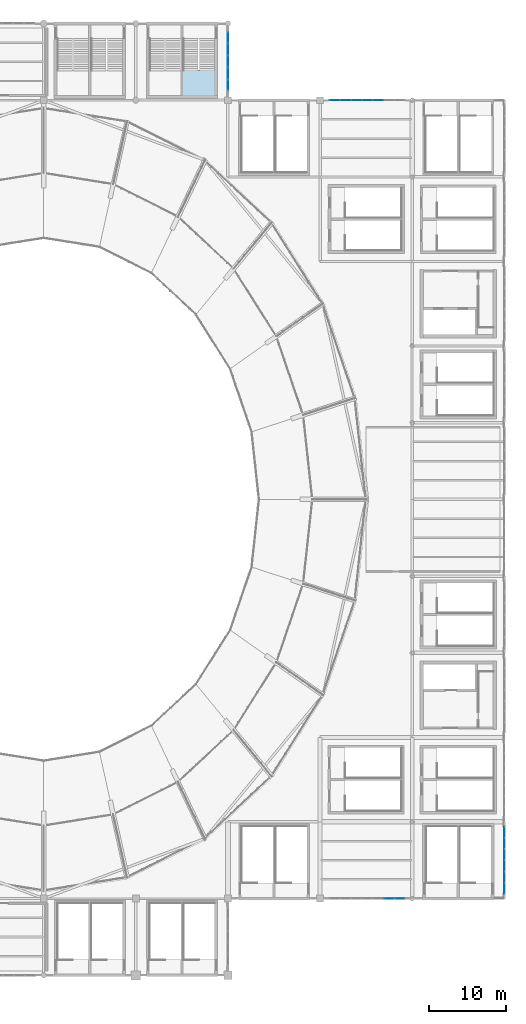
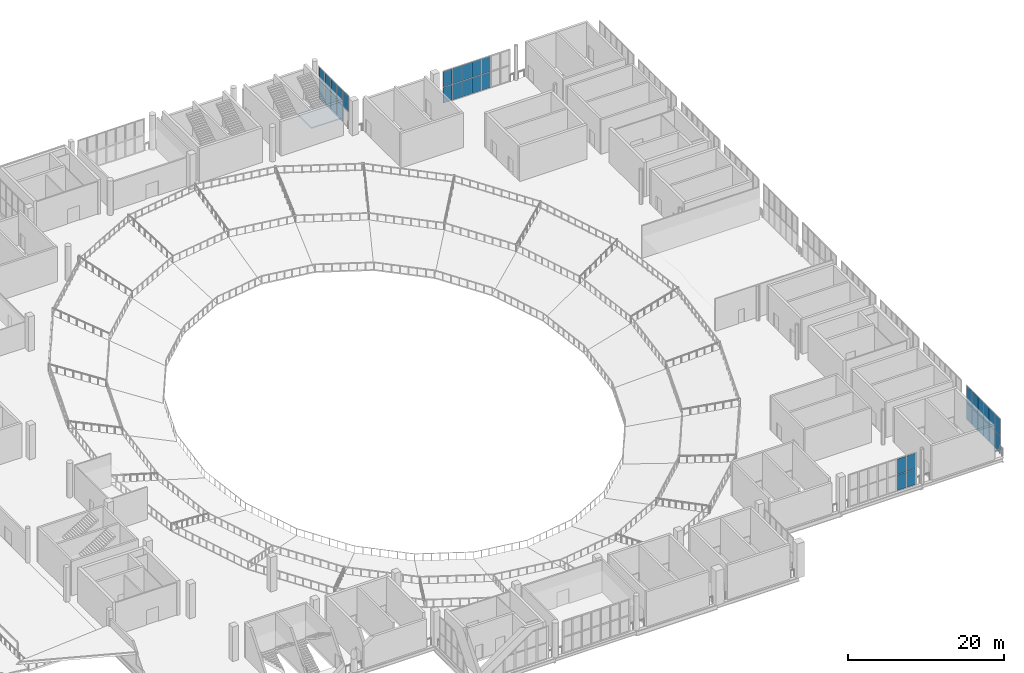
# One storey, part 47 of 74: 35 plates, 1 slab, 5 elements without a shape of their own.
"""IFC4 building model written with IfcOpenShell, lengths in metres."""

import ifcopenshell
import ifcopenshell.guid

model = None  # the IFC model being written
_history = None  # IfcOwnerHistory: only IFC2X3 demands one
_inside = {}  # id of a spatial element -> (the spatial element, [elements in it])
_under = {}  # id of a project, library or spatial element -> (it, [spatial elements below it])
_declared = {}  # id of a project -> (the project, [libraries it declares])
_typed = {}  # id of a type object -> (the type object, [elements of that type])
_made_of = {}  # id of a material, layer set ... -> (it, [elements and type objects made of it])


def new_model(schema):
    """Start an empty IFC model of exactly this schema.

    Asked for "IFC4X3", IfcOpenShell would pick the latest addendum, in which some entities
    have other attributes; the version numbers below select the first issue.
    IFC2X3 requires an IfcOwnerHistory on every rooted entity: one is made here for all.
    """
    global model, _history
    if schema == "IFC4X3":
        model = ifcopenshell.file(schema_version=(4, 3, 0, 0))
    else:
        model = ifcopenshell.file(schema=schema)
    _inside.clear()
    _under.clear()
    _declared.clear()
    _typed.clear()
    _made_of.clear()
    _history = None
    if model.schema == "IFC2X3":
        org = make("IfcOrganization", Name="unknown")
        user = make(
            "IfcPersonAndOrganization",
            ThePerson=make("IfcPerson", FamilyName="unknown"),
            TheOrganization=org,
        )
        app = make(
            "IfcApplication",
            ApplicationDeveloper=org,
            Version="unknown",
            ApplicationFullName="unknown",
            ApplicationIdentifier="unknown",
        )
        _history = make(
            "IfcOwnerHistory",
            OwningUser=user,
            OwningApplication=app,
            ChangeAction="ADDED",
            CreationDate=0,
        )
    return model


def make(cls, **values):
    """One entity of the class cls with the attributes given. An attribute that is None is left unset."""
    return model.create_entity(
        cls, **{name: value for name, value in values.items() if value is not None}
    )


def rooted(cls, **values):
    """An entity with a GlobalId (a new one), such as an element, a storey or a relation."""
    return make(cls, GlobalId=ifcopenshell.guid.new(), OwnerHistory=_history, **values)


def si_unit(unit_type, name, prefix=None):
    """IfcSIUnit, for example si_unit("LENGTHUNIT", "METRE", prefix="MILLI")."""
    return make("IfcSIUnit", UnitType=unit_type, Prefix=prefix, Name=name)


def assignment(units):
    """IfcUnitAssignment: the units of a project."""
    return None if units is None else make("IfcUnitAssignment", Units=units)


def point(xyz):
    """IfcCartesianPoint."""
    return None if xyz is None else make("IfcCartesianPoint", Coordinates=xyz)


def direction(xyz):
    """IfcDirection."""
    return None if xyz is None else make("IfcDirection", DirectionRatios=xyz)


def frame(location, z_axis=None, x_axis=None):
    """IfcAxis2Placement3D, a coordinate frame: its origin and axes. An axis left out is left unset."""
    return make(
        "IfcAxis2Placement3D",
        Location=point(location),
        Axis=direction(z_axis),
        RefDirection=direction(x_axis),
    )


def frame_2d(location, x_axis=None):
    """IfcAxis2Placement2D, a coordinate frame in the plane: its origin and x axis."""
    return make(
        "IfcAxis2Placement2D", Location=point(location), RefDirection=direction(x_axis)
    )


def origin():
    """The frame at (0, 0, 0) with its axes left unset."""
    return frame((0.0, 0.0, 0.0))


def origin_2d():
    """The frame at (0, 0) in the plane with its x axis left unset."""
    return frame_2d((0.0, 0.0))


def place(relative_to, where):
    """IfcLocalPlacement: puts the frame where relative to a parent placement (None: the world)."""
    return make(
        "IfcLocalPlacement", PlacementRelTo=relative_to, RelativePlacement=where
    )


def context(
    kind, dimensions, precision=None, world=None, true_north=None, identifier=None
):
    """IfcGeometricRepresentationContext, for example the 3D "Model" context."""
    return make(
        "IfcGeometricRepresentationContext",
        ContextIdentifier=identifier,
        ContextType=kind,
        CoordinateSpaceDimension=dimensions,
        Precision=precision,
        WorldCoordinateSystem=world,
        TrueNorth=true_north,
    )


def subcontext(parent, identifier, kind, view, scale=None):
    """IfcGeometricRepresentationSubContext, for example "Body" below "Model"."""
    return make(
        "IfcGeometricRepresentationSubContext",
        ContextIdentifier=identifier,
        ContextType=kind,
        ParentContext=parent,
        TargetScale=scale,
        TargetView=view,
    )


def project(units=None, contexts=None):
    """IfcProject with its units and contexts."""
    return rooted(
        "IfcProject",
        Name="project",
        RepresentationContexts=contexts,
        UnitsInContext=assignment(units),
    )


def spatial(cls, under=None, at=None, **own):
    """A site, building, storey or space (cls), placed at a placement, below another one or the project."""
    s = rooted(cls, ObjectPlacement=at, **own)
    if under is not None:
        _under.setdefault(under.id(), (under, []))[1].append(s)
    return s


def polyline(points):
    """IfcPolyline through the points."""
    return make("IfcPolyline", Points=[point(p) for p in points])


def profile(cls, at=None, kind="AREA", **sizes):
    """A parametric profile (cls). Its sizes go by their IFC names, for example OverallWidth=200.0."""
    return make(cls, ProfileType=kind, Position=at, **sizes)


def rectangle(**sizes):
    """IfcRectangleProfileDef."""
    return profile("IfcRectangleProfileDef", **sizes)


def outline(outer, holes=None, kind="AREA"):
    """IfcArbitraryClosedProfileDef: a profile drawn as a closed curve; with holes, ...WithVoids."""
    if holes is None:
        return make("IfcArbitraryClosedProfileDef", ProfileType=kind, OuterCurve=outer)
    return make(
        "IfcArbitraryProfileDefWithVoids",
        ProfileType=kind,
        OuterCurve=outer,
        InnerCurves=holes,
    )


def extrude(swept, where, along, depth):
    """IfcExtrudedAreaSolid: the profile swept, set in the frame where, extruded along a direction by depth."""
    return make(
        "IfcExtrudedAreaSolid",
        SweptArea=swept,
        Position=where,
        ExtrudedDirection=direction(along),
        Depth=depth,
    )


def shape(context_of_items, identifier, shape_type, items):
    """IfcShapeRepresentation: the items that make up one representation, for example the "Body"."""
    return make(
        "IfcShapeRepresentation",
        ContextOfItems=context_of_items,
        RepresentationIdentifier=identifier,
        RepresentationType=shape_type,
        Items=items,
    )


def material(Name=None, Category=None):
    """IfcMaterial."""
    return make("IfcMaterial", Name=Name, Category=Category)


def layer(
    of_material, thickness, ventilated=None, Name=None, Category=None, Priority=None
):
    """IfcMaterialLayer: one layer of a wall or slab, of a material (None: an air gap)."""
    return make(
        "IfcMaterialLayer",
        Material=of_material,
        LayerThickness=thickness,
        IsVentilated=ventilated,
        Name=Name,
        Category=Category,
        Priority=Priority,
    )


def layer_set(layers, Name=None):
    """IfcMaterialLayerSet."""
    return make("IfcMaterialLayerSet", MaterialLayers=layers, LayerSetName=Name)


def made_of(thing, what):
    """Note that an element or type object is made of a material, layer set ...; save() writes the relation."""
    if what is not None:
        _made_of.setdefault(what.id(), (what, []))[1].append(thing)
    return thing


def type_object(cls, material=None, **own):
    """A type object (cls), such as IfcWallType, which elements share."""
    return made_of(rooted(cls, **own), material)


def element(
    cls,
    number,
    at=None,
    inside=None,
    cuts=None,
    type_object=None,
    material=None,
    context=None,
    identifier="Body",
    shape_type=None,
    held_by="IfcProductDefinitionShape",
    body=None,
    shapes=None,
    **own,
):
    """One element of the class cls, such as IfcWall. Its Tag is "e" and its number.

    at: its placement. inside: the storey or other place that contains it. cuts: it is an
    opening in that element (IfcRelVoidsElement). A single representation is given by context,
    identifier, shape_type and body (its items); several are given by shapes. held_by: the class
    of the entity that holds the representations. save() writes the other relations.
    """
    e = rooted(cls, Tag="e%d" % number, ObjectPlacement=at, **own)
    if body is not None:
        shapes = [shape(context, identifier, shape_type, body)]
    if shapes is not None:
        e.Representation = make(held_by, Representations=shapes)
    if inside is not None:
        _inside.setdefault(inside.id(), (inside, []))[1].append(e)
    if cuts is not None:
        rooted(
            "IfcRelVoidsElement", RelatingBuildingElement=cuts, RelatedOpeningElement=e
        )
    if type_object is not None:
        _typed.setdefault(type_object.id(), (type_object, []))[1].append(e)
    return made_of(e, material)


def aggregate(whole, parts):
    """IfcRelAggregates: a whole, such as a stair, and the parts it consists of."""
    return rooted("IfcRelAggregates", RelatingObject=whole, RelatedObjects=parts)


def save(model, path):
    """Write the relations noted so far, then the file.

    IfcRelAggregates (storeys below a building ...), IfcRelContainedInSpatialStructure (elements
    in a storey), IfcRelDefinesByType, IfcRelAssociatesMaterial and IfcRelDeclares: one each for
    every whole, place, type object, material and project.
    """
    for whole, parts in _under.values():
        aggregate(whole, parts)
    for where, things in _inside.values():
        rooted(
            "IfcRelContainedInSpatialStructure",
            RelatedElements=things,
            RelatingStructure=where,
        )
    for kind, things in _typed.values():
        rooted("IfcRelDefinesByType", RelatedObjects=things, RelatingType=kind)
    for what, things in _made_of.values():
        rooted("IfcRelAssociatesMaterial", RelatedObjects=things, RelatingMaterial=what)
    for by, libraries in _declared.values():
        rooted("IfcRelDeclares", RelatingContext=by, RelatedDefinitions=libraries)
    model.write(path)


model = new_model("IFC4")

# Units and contexts
model_context = context("Model", 3, precision=1e-05, world=origin(), true_north=direction((0.0, 1.0)))
body_context = subcontext(model_context, "Body", "Model", "MODEL_VIEW")
ifc_project = project(units=[si_unit("LENGTHUNIT", "METRE"), si_unit("AREAUNIT", "SQUARE_METRE"), si_unit("VOLUMEUNIT", "CUBIC_METRE"), si_unit("PLANEANGLEUNIT", "RADIAN"), si_unit("MASSUNIT", "GRAM", prefix="KILO")], contexts=[model_context])

# Site, building, storey
site_placement = place(None, origin())
site = spatial("IfcSite", under=ifc_project, at=site_placement, CompositionType="ELEMENT")
building_placement = place(site_placement, origin())
building = spatial("IfcBuilding", under=site, at=building_placement, Name="Brinegate Civic Arena", CompositionType="ELEMENT")
storey_placement = place(building_placement, frame((0.0, 0.0, 19.199951171875)))
storey = spatial("IfcBuildingStorey", under=building, at=storey_placement, Name="L04", CompositionType="ELEMENT", Elevation=19.199951171875)

# Curtain wall, plates
ifc_material_1 = material(Name="Marine grade aluminium", Category="aluminium")
ifc_layer_1 = layer(ifc_material_1, 0.199951171875, Name="Marine grade aluminium")
ifc_layer_set_1 = layer_set([ifc_layer_1], Name="Marine grade aluminium")
curtain_wall_type_1 = type_object("IfcCurtainWallType", Name="CW-BOWL-GLAZED-01", PredefinedType="USERDEFINED", material=ifc_layer_set_1)
curtain_wall_1_placement = place(storey_placement, origin())
curtain_wall_1 = element("IfcCurtainWall", 1, at=curtain_wall_1_placement, inside=storey, type_object=curtain_wall_type_1, Name="Curtain Wall CWA-134", ObjectType="GLAZED CURTAIN WALL", PredefinedType="USERDEFINED")
ifc_material_2 = material(Name="Hurricane laminated low-E glass", Category="glass")
ifc_layer_2 = layer(ifc_material_2, 0.028076171875, Name="Hurricane laminated low-E glass")
ifc_layer_set_2 = layer_set([ifc_layer_2], Name="Hurricane laminated low-E glass")
plate_type_1 = type_object("IfcPlateType", Name="CW-PANEL-GLAZED-28", PredefinedType="CURTAIN_PANEL", material=ifc_layer_set_2)
plate_1_placement = place(storey_placement, frame((168.0, 11.349609375, 0.06494140625), z_axis=(0.0, 0.0, 1.0), x_axis=(0.0, 1.0, 0.0)))
plate_1 = element("IfcPlate", 2, at=plate_1_placement, type_object=plate_type_1, Name="CWA-134 panel 1.1", PredefinedType="CURTAIN_PANEL", context=body_context, shape_type="SweptSolid", body=[
    extrude(rectangle(XDim=1.369140625, YDim=0.028076171875, at=origin_2d()), origin(), (0.0, 0.0, 1.0), 2.6025390625),
])
plate_2_placement = place(storey_placement, frame((168.0, 11.349609375, 2.732421875), z_axis=(0.0, 0.0, 1.0), x_axis=(0.0, 1.0, 0.0)))
plate_2 = element("IfcPlate", 3, at=plate_2_placement, type_object=plate_type_1, Name="CWA-134 panel 1.2", PredefinedType="CURTAIN_PANEL", context=body_context, shape_type="SweptSolid", body=[
    extrude(rectangle(XDim=1.369140625, YDim=0.028076171875, at=origin_2d()), origin(), (0.0, 0.0, 1.0), 2.6025390625),
])
plate_3_placement = place(storey_placement, frame((168.0, 12.800048828125, 0.06494140625), z_axis=(0.0, 0.0, 1.0), x_axis=(0.0, 1.0, 0.0)))
plate_3 = element("IfcPlate", 4, at=plate_3_placement, type_object=plate_type_1, Name="CWA-134 panel 2.1", PredefinedType="CURTAIN_PANEL", context=body_context, shape_type="SweptSolid", body=[
    extrude(rectangle(XDim=1.401611328125, YDim=0.028076171875, at=origin_2d()), origin(), (0.0, 0.0, 1.0), 2.6025390625),
])
plate_4_placement = place(storey_placement, frame((168.0, 12.800048828125, 2.732421875), z_axis=(0.0, 0.0, 1.0), x_axis=(0.0, 1.0, 0.0)))
plate_4 = element("IfcPlate", 5, at=plate_4_placement, type_object=plate_type_1, Name="CWA-134 panel 2.2", PredefinedType="CURTAIN_PANEL", context=body_context, shape_type="SweptSolid", body=[
    extrude(rectangle(XDim=1.401611328125, YDim=0.028076171875, at=origin_2d()), origin(), (0.0, 0.0, 1.0), 2.6025390625),
])
plate_5_placement = place(storey_placement, frame((168.0, 14.2666015625, 0.06494140625), z_axis=(0.0, 0.0, 1.0), x_axis=(0.0, 1.0, 0.0)))
plate_5 = element("IfcPlate", 6, at=plate_5_placement, type_object=plate_type_1, Name="CWA-134 panel 3.1", PredefinedType="CURTAIN_PANEL", context=body_context, shape_type="SweptSolid", body=[
    extrude(rectangle(XDim=1.401611328125, YDim=0.028076171875, at=origin_2d()), origin(), (0.0, 0.0, 1.0), 2.6025390625),
])
plate_6_placement = place(storey_placement, frame((168.0, 14.2666015625, 2.732421875), z_axis=(0.0, 0.0, 1.0), x_axis=(0.0, 1.0, 0.0)))
plate_6 = element("IfcPlate", 7, at=plate_6_placement, type_object=plate_type_1, Name="CWA-134 panel 3.2", PredefinedType="CURTAIN_PANEL", context=body_context, shape_type="SweptSolid", body=[
    extrude(rectangle(XDim=1.401611328125, YDim=0.028076171875, at=origin_2d()), origin(), (0.0, 0.0, 1.0), 2.6025390625),
])
plate_7_placement = place(storey_placement, frame((168.0, 15.7333984375, 0.06494140625), z_axis=(0.0, 0.0, 1.0), x_axis=(0.0, 1.0, 0.0)))
plate_7 = element("IfcPlate", 8, at=plate_7_placement, type_object=plate_type_1, Name="CWA-134 panel 4.1", PredefinedType="CURTAIN_PANEL", context=body_context, shape_type="SweptSolid", body=[
    extrude(rectangle(XDim=1.401611328125, YDim=0.028076171875, at=origin_2d()), origin(), (0.0, 0.0, 1.0), 2.6025390625),
])
plate_8_placement = place(storey_placement, frame((168.0, 15.7333984375, 2.732421875), z_axis=(0.0, 0.0, 1.0), x_axis=(0.0, 1.0, 0.0)))
plate_8 = element("IfcPlate", 9, at=plate_8_placement, type_object=plate_type_1, Name="CWA-134 panel 4.2", PredefinedType="CURTAIN_PANEL", context=body_context, shape_type="SweptSolid", body=[
    extrude(rectangle(XDim=1.401611328125, YDim=0.028076171875, at=origin_2d()), origin(), (0.0, 0.0, 1.0), 2.6025390625),
])
plate_9_placement = place(storey_placement, frame((168.0, 17.199951171875, 0.06494140625), z_axis=(0.0, 0.0, 1.0), x_axis=(0.0, 1.0, 0.0)))
plate_9 = element("IfcPlate", 10, at=plate_9_placement, type_object=plate_type_1, Name="CWA-134 panel 5.1", PredefinedType="CURTAIN_PANEL", context=body_context, shape_type="SweptSolid", body=[
    extrude(rectangle(XDim=1.401611328125, YDim=0.028076171875, at=origin_2d()), origin(), (0.0, 0.0, 1.0), 2.6025390625),
])
plate_10_placement = place(storey_placement, frame((168.0, 17.199951171875, 2.732421875), z_axis=(0.0, 0.0, 1.0), x_axis=(0.0, 1.0, 0.0)))
plate_10 = element("IfcPlate", 11, at=plate_10_placement, type_object=plate_type_1, Name="CWA-134 panel 5.2", PredefinedType="CURTAIN_PANEL", context=body_context, shape_type="SweptSolid", body=[
    extrude(rectangle(XDim=1.401611328125, YDim=0.028076171875, at=origin_2d()), origin(), (0.0, 0.0, 1.0), 2.6025390625),
])
plate_11_placement = place(storey_placement, frame((168.0, 18.650390625, 0.06494140625), z_axis=(0.0, 0.0, 1.0), x_axis=(0.0, 1.0, 0.0)))
plate_11 = element("IfcPlate", 12, at=plate_11_placement, type_object=plate_type_1, Name="CWA-134 panel 6.1", PredefinedType="CURTAIN_PANEL", context=body_context, shape_type="SweptSolid", body=[
    extrude(rectangle(XDim=1.369140625, YDim=0.028076171875, at=origin_2d()), origin(), (0.0, 0.0, 1.0), 2.6025390625),
])
plate_12_placement = place(storey_placement, frame((168.0, 18.650390625, 2.732421875), z_axis=(0.0, 0.0, 1.0), x_axis=(0.0, 1.0, 0.0)))
plate_12 = element("IfcPlate", 13, at=plate_12_placement, type_object=plate_type_1, Name="CWA-134 panel 6.2", PredefinedType="CURTAIN_PANEL", context=body_context, shape_type="SweptSolid", body=[
    extrude(rectangle(XDim=1.369140625, YDim=0.028076171875, at=origin_2d()), origin(), (0.0, 0.0, 1.0), 2.6025390625),
])
aggregate(curtain_wall_1, [plate_1, plate_2, plate_3, plate_4, plate_5, plate_6, plate_7, plate_8, plate_9, plate_10, plate_11, plate_12])

curtain_wall_2_placement = place(storey_placement, origin())
curtain_wall_2 = element("IfcCurtainWall", 14, at=curtain_wall_2_placement, inside=storey, type_object=curtain_wall_type_1, Name="Curtain Wall CWA-152", ObjectType="GLAZED CURTAIN WALL", PredefinedType="USERDEFINED")
plate_13_placement = place(storey_placement, frame((145.90966796875, 114.0, 0.0751953125), z_axis=(0.0, 0.0, 1.0), x_axis=(1.0, 0.0, 0.0)))
plate_13 = element("IfcPlate", 15, at=plate_13_placement, type_object=plate_type_1, Name="CWA-152 panel 1.1", PredefinedType="CURTAIN_PANEL", context=body_context, shape_type="SweptSolid", body=[
    extrude(rectangle(XDim=1.3173828125, YDim=0.028076171875, at=origin_2d()), origin(), (0.0, 0.0, 1.0), 2.422607421875),
])
plate_14_placement = place(storey_placement, frame((145.90966796875, 114.0, 2.572265625), z_axis=(0.0, 0.0, 1.0), x_axis=(1.0, 0.0, 0.0)))
plate_14 = element("IfcPlate", 16, at=plate_14_placement, type_object=plate_type_1, Name="CWA-152 panel 1.2", PredefinedType="CURTAIN_PANEL", context=body_context, shape_type="SweptSolid", body=[
    extrude(rectangle(XDim=1.3173828125, YDim=0.028076171875, at=origin_2d()), origin(), (0.0, 0.0, 1.0), 2.422607421875),
])
plate_15_placement = place(storey_placement, frame((147.30859375, 114.0, 0.0751953125), z_axis=(0.0, 0.0, 1.0), x_axis=(1.0, 0.0, 0.0)))
plate_15 = element("IfcPlate", 17, at=plate_15_placement, type_object=plate_type_1, Name="CWA-152 panel 2.1", PredefinedType="CURTAIN_PANEL", context=body_context, shape_type="SweptSolid", body=[
    extrude(rectangle(XDim=1.35009765625, YDim=0.028076171875, at=origin_2d()), origin(), (0.0, 0.0, 1.0), 2.422607421875),
])
plate_16_placement = place(storey_placement, frame((147.30859375, 114.0, 2.572265625), z_axis=(0.0, 0.0, 1.0), x_axis=(1.0, 0.0, 0.0)))
plate_16 = element("IfcPlate", 18, at=plate_16_placement, type_object=plate_type_1, Name="CWA-152 panel 2.2", PredefinedType="CURTAIN_PANEL", context=body_context, shape_type="SweptSolid", body=[
    extrude(rectangle(XDim=1.35009765625, YDim=0.028076171875, at=origin_2d()), origin(), (0.0, 0.0, 1.0), 2.422607421875),
])
plate_17_placement = place(storey_placement, frame((148.723388671875, 114.0, 0.0751953125), z_axis=(0.0, 0.0, 1.0), x_axis=(1.0, 0.0, 0.0)))
plate_17 = element("IfcPlate", 19, at=plate_17_placement, type_object=plate_type_1, Name="CWA-152 panel 3.1", PredefinedType="CURTAIN_PANEL", context=body_context, shape_type="SweptSolid", body=[
    extrude(rectangle(XDim=1.35009765625, YDim=0.028076171875, at=origin_2d()), origin(), (0.0, 0.0, 1.0), 2.422607421875),
])
plate_18_placement = place(storey_placement, frame((148.723388671875, 114.0, 2.572265625), z_axis=(0.0, 0.0, 1.0), x_axis=(1.0, 0.0, 0.0)))
plate_18 = element("IfcPlate", 20, at=plate_18_placement, type_object=plate_type_1, Name="CWA-152 panel 3.2", PredefinedType="CURTAIN_PANEL", context=body_context, shape_type="SweptSolid", body=[
    extrude(rectangle(XDim=1.35009765625, YDim=0.028076171875, at=origin_2d()), origin(), (0.0, 0.0, 1.0), 2.422607421875),
])
plate_19_placement = place(storey_placement, frame((150.138427734375, 114.0, 0.0751953125), z_axis=(0.0, 0.0, 1.0), x_axis=(1.0, 0.0, 0.0)))
plate_19 = element("IfcPlate", 21, at=plate_19_placement, type_object=plate_type_1, Name="CWA-152 panel 4.1", PredefinedType="CURTAIN_PANEL", context=body_context, shape_type="SweptSolid", body=[
    extrude(rectangle(XDim=1.35009765625, YDim=0.028076171875, at=origin_2d()), origin(), (0.0, 0.0, 1.0), 2.422607421875),
])
plate_20_placement = place(storey_placement, frame((150.138427734375, 114.0, 2.572265625), z_axis=(0.0, 0.0, 1.0), x_axis=(1.0, 0.0, 0.0)))
plate_20 = element("IfcPlate", 22, at=plate_20_placement, type_object=plate_type_1, Name="CWA-152 panel 4.2", PredefinedType="CURTAIN_PANEL", context=body_context, shape_type="SweptSolid", body=[
    extrude(rectangle(XDim=1.35009765625, YDim=0.028076171875, at=origin_2d()), origin(), (0.0, 0.0, 1.0), 2.422607421875),
])
plate_21_placement = place(storey_placement, frame((151.553466796875, 114.0, 0.0751953125), z_axis=(0.0, 0.0, 1.0), x_axis=(1.0, 0.0, 0.0)))
plate_21 = element("IfcPlate", 23, at=plate_21_placement, type_object=plate_type_1, Name="CWA-152 panel 5.1", PredefinedType="CURTAIN_PANEL", context=body_context, shape_type="SweptSolid", body=[
    extrude(rectangle(XDim=1.35009765625, YDim=0.028076171875, at=origin_2d()), origin(), (0.0, 0.0, 1.0), 2.422607421875),
])
plate_22_placement = place(storey_placement, frame((151.553466796875, 114.0, 2.572265625), z_axis=(0.0, 0.0, 1.0), x_axis=(1.0, 0.0, 0.0)))
plate_22 = element("IfcPlate", 24, at=plate_22_placement, type_object=plate_type_1, Name="CWA-152 panel 5.2", PredefinedType="CURTAIN_PANEL", context=body_context, shape_type="SweptSolid", body=[
    extrude(rectangle(XDim=1.35009765625, YDim=0.028076171875, at=origin_2d()), origin(), (0.0, 0.0, 1.0), 2.422607421875),
])
aggregate(curtain_wall_2, [plate_13, plate_14, plate_15, plate_16, plate_17, plate_18, plate_19, plate_20, plate_21, plate_22])

curtain_wall_3_placement = place(storey_placement, origin())
curtain_wall_3 = element("IfcCurtainWall", 25, at=curtain_wall_3_placement, inside=storey, type_object=curtain_wall_type_1, Name="Curtain Wall CWA-153", ObjectType="GLAZED CURTAIN WALL", PredefinedType="USERDEFINED")
ifc_layer_3 = layer(ifc_material_2, 0.031982421875, Name="Hurricane laminated low-E glass")
ifc_layer_set_3 = layer_set([ifc_layer_3], Name="Hurricane laminated low-E glass")
plate_type_2 = type_object("IfcPlateType", Name="CW-PANEL-GLAZED-32", PredefinedType="CURTAIN_PANEL", material=ifc_layer_set_3)
plate_23_placement = place(storey_placement, frame((152.968505859375, 10.0, 0.06494140625), z_axis=(0.0, 0.0, 1.0), x_axis=(1.0, 0.0, 0.0)))
plate_23 = element("IfcPlate", 26, at=plate_23_placement, type_object=plate_type_2, Name="CWA-153 panel 6.1", PredefinedType="CURTAIN_PANEL", context=body_context, shape_type="SweptSolid", body=[
    extrude(rectangle(XDim=1.35009765625, YDim=0.031982421875, at=origin_2d()), origin(), (0.0, 0.0, 1.0), 2.4375),
])
plate_24_placement = place(storey_placement, frame((152.968505859375, 10.0, 2.567626953125), z_axis=(0.0, 0.0, 1.0), x_axis=(1.0, 0.0, 0.0)))
plate_24 = element("IfcPlate", 27, at=plate_24_placement, type_object=plate_type_2, Name="CWA-153 panel 6.2", PredefinedType="CURTAIN_PANEL", context=body_context, shape_type="SweptSolid", body=[
    extrude(rectangle(XDim=1.35009765625, YDim=0.031982421875, at=origin_2d()), origin(), (0.0, 0.0, 1.0), 2.4375),
])
plate_25_placement = place(storey_placement, frame((154.3671875, 10.0, 0.06494140625), z_axis=(0.0, 0.0, 1.0), x_axis=(1.0, 0.0, 0.0)))
plate_25 = element("IfcPlate", 28, at=plate_25_placement, type_object=plate_type_2, Name="CWA-153 panel 7.1", PredefinedType="CURTAIN_PANEL", context=body_context, shape_type="SweptSolid", body=[
    extrude(rectangle(XDim=1.3173828125, YDim=0.031982421875, at=origin_2d()), origin(), (0.0, 0.0, 1.0), 2.4375),
])
plate_26_placement = place(storey_placement, frame((154.3671875, 10.0, 2.567626953125), z_axis=(0.0, 0.0, 1.0), x_axis=(1.0, 0.0, 0.0)))
plate_26 = element("IfcPlate", 29, at=plate_26_placement, type_object=plate_type_2, Name="CWA-153 panel 7.2", PredefinedType="CURTAIN_PANEL", context=body_context, shape_type="SweptSolid", body=[
    extrude(rectangle(XDim=1.3173828125, YDim=0.031982421875, at=origin_2d()), origin(), (0.0, 0.0, 1.0), 2.4375),
])
aggregate(curtain_wall_3, [plate_23, plate_24, plate_25, plate_26])

ifc_layer_4 = layer(ifc_material_1, 0.235107421875, Name="Marine grade aluminium")
ifc_layer_set_4 = layer_set([ifc_layer_4], Name="Marine grade aluminium")
curtain_wall_type_2 = type_object("IfcCurtainWallType", Name="CW-PORTAL-NORTH-01", PredefinedType="USERDEFINED", material=ifc_layer_set_4)
curtain_wall_4_placement = place(storey_placement, origin())
curtain_wall_4 = element("IfcCurtainWall", 30, at=curtain_wall_4_placement, inside=storey, type_object=curtain_wall_type_2, Name="Curtain Wall CWA-149", ObjectType="PORTAL CURTAIN WALL", PredefinedType="USERDEFINED")
ifc_layer_5 = layer(ifc_material_2, 0.0419921875, Name="Hurricane laminated low-E glass")
ifc_layer_set_5 = layer_set([ifc_layer_5], Name="Hurricane laminated low-E glass")
plate_type_3 = type_object("IfcPlateType", Name="CW-PANEL-SPANDREL-42", PredefinedType="CURTAIN_PANEL", material=ifc_layer_set_5)
plate_27_placement = place(storey_placement, frame((132.0, 115.98291015625, 2.572265625), z_axis=(0.0, 0.0, 1.0), x_axis=(0.0, 1.0, 0.0)))
plate_27 = element("IfcPlate", 31, at=plate_27_placement, type_object=plate_type_3, Name="CWA-149 panel 1.2", PredefinedType="CURTAIN_PANEL", context=body_context, shape_type="SweptSolid", body=[
    extrude(rectangle(XDim=1.433837890625, YDim=0.0419921875, at=origin_2d()), origin(), (0.0, 0.0, 1.0), 2.422607421875),
])
plate_28_placement = place(storey_placement, frame((132.0, 117.5166015625, 0.0751953125), z_axis=(0.0, 0.0, 1.0), x_axis=(0.0, 1.0, 0.0)))
plate_28 = element("IfcPlate", 32, at=plate_28_placement, type_object=plate_type_3, Name="CWA-149 panel 2.1", PredefinedType="CURTAIN_PANEL", context=body_context, shape_type="SweptSolid", body=[
    extrude(rectangle(XDim=1.473876953125, YDim=0.0419921875, at=origin_2d()), origin(), (0.0, 0.0, 1.0), 2.422607421875),
])
plate_29_placement = place(storey_placement, frame((132.0, 117.5166015625, 2.572265625), z_axis=(0.0, 0.0, 1.0), x_axis=(0.0, 1.0, 0.0)))
plate_29 = element("IfcPlate", 33, at=plate_29_placement, type_object=plate_type_3, Name="CWA-149 panel 2.2", PredefinedType="CURTAIN_PANEL", context=body_context, shape_type="SweptSolid", body=[
    extrude(rectangle(XDim=1.473876953125, YDim=0.0419921875, at=origin_2d()), origin(), (0.0, 0.0, 1.0), 2.422607421875),
])
plate_30_placement = place(storey_placement, frame((132.0, 119.070556640625, 0.0751953125), z_axis=(0.0, 0.0, 1.0), x_axis=(0.0, 1.0, 0.0)))
plate_30 = element("IfcPlate", 34, at=plate_30_placement, type_object=plate_type_3, Name="CWA-149 panel 3.1", PredefinedType="CURTAIN_PANEL", context=body_context, shape_type="SweptSolid", body=[
    extrude(rectangle(XDim=1.473876953125, YDim=0.0419921875, at=origin_2d()), origin(), (0.0, 0.0, 1.0), 2.422607421875),
])
plate_31_placement = place(storey_placement, frame((132.0, 119.070556640625, 2.572265625), z_axis=(0.0, 0.0, 1.0), x_axis=(0.0, 1.0, 0.0)))
plate_31 = element("IfcPlate", 35, at=plate_31_placement, type_object=plate_type_3, Name="CWA-149 panel 3.2", PredefinedType="CURTAIN_PANEL", context=body_context, shape_type="SweptSolid", body=[
    extrude(rectangle(XDim=1.473876953125, YDim=0.0419921875, at=origin_2d()), origin(), (0.0, 0.0, 1.0), 2.422607421875),
])
plate_32_placement = place(storey_placement, frame((132.0, 120.624267578125, 0.0751953125), z_axis=(0.0, 0.0, 1.0), x_axis=(0.0, 1.0, 0.0)))
plate_32 = element("IfcPlate", 36, at=plate_32_placement, type_object=plate_type_3, Name="CWA-149 panel 4.1", PredefinedType="CURTAIN_PANEL", context=body_context, shape_type="SweptSolid", body=[
    extrude(rectangle(XDim=1.473876953125, YDim=0.0419921875, at=origin_2d()), origin(), (0.0, 0.0, 1.0), 2.422607421875),
])
plate_33_placement = place(storey_placement, frame((132.0, 120.624267578125, 2.572265625), z_axis=(0.0, 0.0, 1.0), x_axis=(0.0, 1.0, 0.0)))
plate_33 = element("IfcPlate", 37, at=plate_33_placement, type_object=plate_type_3, Name="CWA-149 panel 4.2", PredefinedType="CURTAIN_PANEL", context=body_context, shape_type="SweptSolid", body=[
    extrude(rectangle(XDim=1.473876953125, YDim=0.0419921875, at=origin_2d()), origin(), (0.0, 0.0, 1.0), 2.422607421875),
])
plate_34_placement = place(storey_placement, frame((132.0, 122.158203125, 0.0751953125), z_axis=(0.0, 0.0, 1.0), x_axis=(0.0, 1.0, 0.0)))
plate_34 = element("IfcPlate", 38, at=plate_34_placement, type_object=plate_type_3, Name="CWA-149 panel 5.1", PredefinedType="CURTAIN_PANEL", context=body_context, shape_type="SweptSolid", body=[
    extrude(rectangle(XDim=1.433837890625, YDim=0.0419921875, at=origin_2d()), origin(), (0.0, 0.0, 1.0), 2.422607421875),
])
plate_35_placement = place(storey_placement, frame((132.0, 122.158203125, 2.572265625), z_axis=(0.0, 0.0, 1.0), x_axis=(0.0, 1.0, 0.0)))
plate_35 = element("IfcPlate", 39, at=plate_35_placement, type_object=plate_type_3, Name="CWA-149 panel 5.2", PredefinedType="CURTAIN_PANEL", context=body_context, shape_type="SweptSolid", body=[
    extrude(rectangle(XDim=1.433837890625, YDim=0.0419921875, at=origin_2d()), origin(), (0.0, 0.0, 1.0), 2.422607421875),
])
aggregate(curtain_wall_4, [plate_27, plate_28, plate_29, plate_30, plate_31, plate_32, plate_33, plate_34, plate_35])

# Stair, slab
ifc_material_3 = material(Name="Concrete C40/50", Category="concrete")
stair_type = type_object("IfcStairType", Name="STAIR-EXIT-3700", PredefinedType="HALF_TURN_STAIR", material=ifc_material_3)
stair_placement = place(storey_placement, origin())
stair = element("IfcStair", 40, at=stair_placement, inside=storey, type_object=stair_type, Name="Protected Exit Stair ST-03B (L04)", PredefinedType="HALF_TURN_STAIR")
ifc_layer_6 = layer(ifc_material_3, 0.179931640625, Name="Concrete C40/50")
ifc_layer_set_6 = layer_set([ifc_layer_6], Name="Concrete C40/50")
slab_type = type_object("IfcSlabType", Name="SLAB-LANDING-180", PredefinedType="LANDING", material=ifc_layer_set_6)
slab_placement = place(storey_placement, frame((0.0, 0.0, 2.52001953125)))
slab = element("IfcSlab", 41, at=slab_placement, type_object=slab_type, Name="ST-03B landing 1", PredefinedType="LANDING", context=body_context, shape_type="SweptSolid", body=[
    extrude(outline(polyline([(125.9951171875, 114.39990234375), (130.405029296875, 114.39990234375), (130.405029296875, 117.909912109375), (125.9951171875, 117.909912109375), (125.9951171875, 114.39990234375)])), origin(), (0.0, 0.0, 1.0), 0.179931640625),
])
aggregate(stair, [slab])

save(model, "model.ifc")
